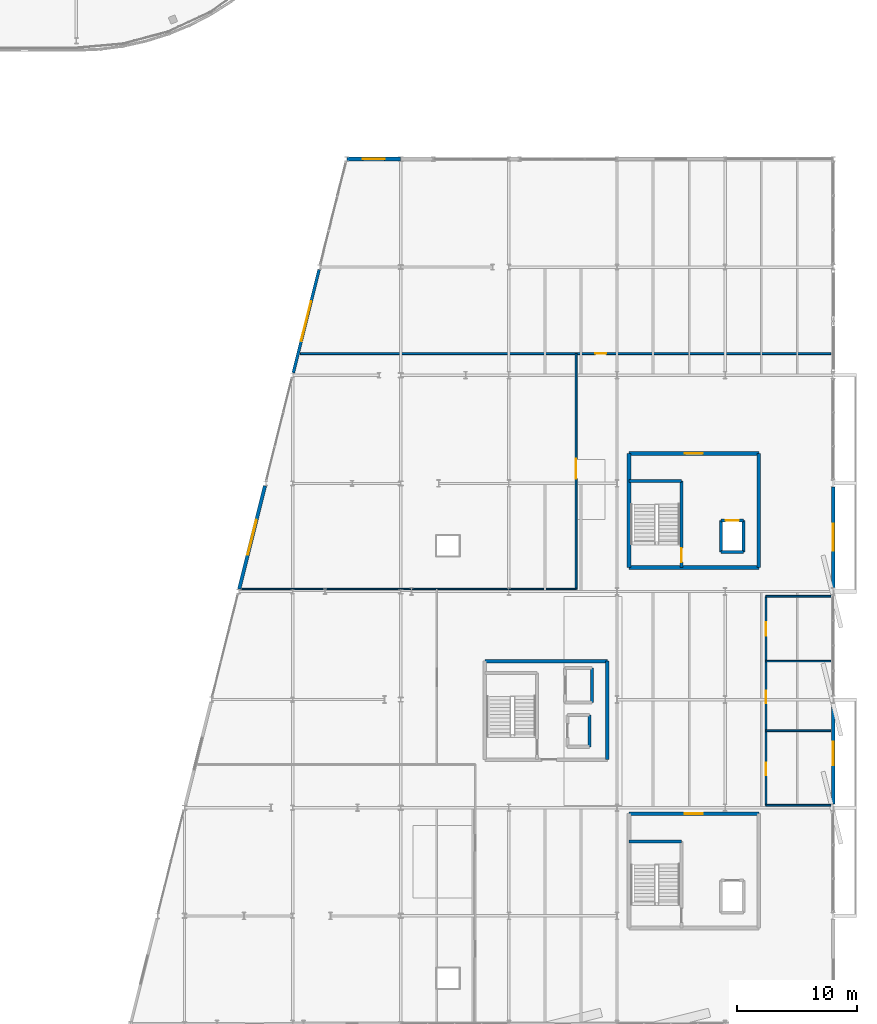
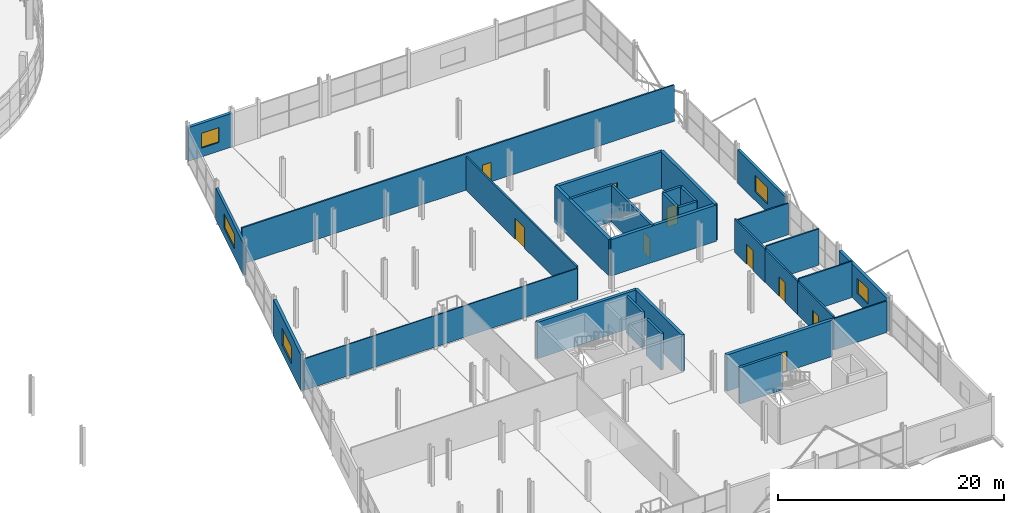
# One storey, part 87 of 103: 31 walls, 9 doors, 5 windows, 14 openings.
"""IFC4 building model written with IfcOpenShell, lengths in metres."""

from ifc_helpers import new_model, si_unit, direction, frame, frame_2d, origin, place, context, subcontext, project, spatial, rectangle, extrude, material, layer, layer_set, type_object, element, fill, save


model = new_model("IFC4")

# Units and contexts
model_context = context("Model", 3, precision=1e-05, world=origin(), true_north=direction((0.0, 1.0)))
body_context = subcontext(model_context, "Body", "Model", "MODEL_VIEW")
ifc_project = project(units=[si_unit("LENGTHUNIT", "METRE"), si_unit("AREAUNIT", "SQUARE_METRE"), si_unit("VOLUMEUNIT", "CUBIC_METRE"), si_unit("PLANEANGLEUNIT", "RADIAN"), si_unit("MASSUNIT", "GRAM", prefix="KILO")], contexts=[model_context])

# Site, building, storey
site_placement = place(None, origin())
site = spatial("IfcSite", under=ifc_project, at=site_placement, CompositionType="ELEMENT")
building_placement = place(site_placement, origin())
building = spatial("IfcBuilding", under=site, at=building_placement, Name="Deido Ridge Mobility Hub", CompositionType="ELEMENT")
storey_placement = place(building_placement, frame((0.0, 0.0, 12.60009765625)))
storey = spatial("IfcBuildingStorey", under=building, at=storey_placement, Name="L03", CompositionType="ELEMENT", Elevation=12.60009765625)

# Wall, opening, window
ifc_material_1 = material(Name="Concrete blockwork masonry", Category="masonry")
ifc_layer_1 = layer(ifc_material_1, 0.2451171875, Name="Concrete blockwork masonry")
ifc_layer_set_1 = layer_set([ifc_layer_1], Name="Concrete blockwork masonry")
wall_type_1 = type_object("IfcWallType", Name="WL-EXT-BLK-245", PredefinedType="STANDARD", material=ifc_layer_set_1)
wall_1_placement = place(storey_placement, frame((135.05126953125, 54.20458984375, 0.0), z_axis=(0.0, 0.0, 1.0), x_axis=(0.242509676291, 0.970148986963, 0.0)))
wall_1 = element("IfcWall", 1, at=wall_1_placement, inside=storey, type_object=wall_type_1, Name="Exterior wall EW4", PredefinedType="STANDARD", context=body_context, shape_type="SweptSolid", body=[
    extrude(rectangle(XDim=8.855224609375, YDim=0.2451171875, at=frame_2d((4.427734375, 0.0))), origin(), (0.0, 0.0, 1.0), 3.449951171875),
])
opening_1_placement = place(wall_1_placement, frame((2.7275390625, 0.0, 0.949951171875)))
opening_1 = element("IfcOpeningElement", 2, at=opening_1_placement, cuts=wall_1, Name="Opening W17", PredefinedType="OPENING", context=body_context, shape_type="SweptSolid", body=[
    extrude(rectangle(XDim=3.39990234375, YDim=1.550048828125, at=frame_2d((1.699951171875, 0.77490234375))), frame((0.0, 0.132568359375, 0.0), z_axis=(0.0, -1.0, 0.0), x_axis=(1.0, 0.0, 0.0)), (0.0, 0.0, 1.0), 0.26513671875),
])
ifc_material_2 = material(Name="Laminated solar-control low-E glass", Category="glass")
window_type_1 = type_object("IfcWindowType", Name="WN-ALU-3400X1550", PartitioningType="DOUBLE_PANEL_VERTICAL", PredefinedType="WINDOW", material=ifc_material_2)
window_1_placement = place(opening_1_placement, origin())
window_1 = element("IfcWindow", 3, at=window_1_placement, inside=storey, type_object=window_type_1, Name="Exterior window W17", OverallHeight=1.550048828125, OverallWidth=3.39990234375, PartitioningType="SINGLE_PANEL", PredefinedType="WINDOW", context=body_context, shape_type="SweptSolid", body=[
    extrude(rectangle(XDim=3.39990234375, YDim=1.550048828125, at=frame_2d((1.699951171875, 0.77490234375))), frame((0.0, 0.030029296875, 0.0), z_axis=(0.0, -1.0, 0.0), x_axis=(1.0, 0.0, 0.0)), (0.0, 0.0, 1.0), 0.06005859375),
])
fill(opening_1, window_1)

ifc_layer_2 = layer(ifc_material_1, 0.264892578125, Name="Concrete blockwork masonry")
ifc_layer_set_2 = layer_set([ifc_layer_2], Name="Concrete blockwork masonry")
wall_type_2 = type_object("IfcWallType", Name="WL-EXT-BLK-265", PredefinedType="STANDARD", material=ifc_layer_set_2)
wall_2_placement = place(storey_placement, frame((180.0, 36.300048828125, 0.0), z_axis=(0.0, 0.0, 1.0), x_axis=(0.0, 1.0, 0.0)))
wall_2 = element("IfcWall", 4, at=wall_2_placement, inside=storey, type_object=wall_type_2, Name="Exterior wall EW3", PredefinedType="STANDARD", context=body_context, shape_type="SweptSolid", body=[
    extrude(rectangle(XDim=8.39990234375, YDim=0.264892578125, at=frame_2d((4.199951171875, 0.0))), origin(), (0.0, 0.0, 1.0), 3.599853515625),
])
opening_2_placement = place(wall_2_placement, frame((3.074951171875, 0.0, 0.949951171875)))
opening_2 = element("IfcOpeningElement", 5, at=opening_2_placement, cuts=wall_2, Name="Opening W10", PredefinedType="OPENING", context=body_context, shape_type="SweptSolid", body=[
    extrude(rectangle(XDim=2.25, YDim=1.75, at=frame_2d((1.125, 0.875))), frame((0.0, 0.142578125, 0.0), z_axis=(0.0, -1.0, 0.0), x_axis=(1.0, 0.0, 0.0)), (0.0, 0.0, 1.0), 0.284912109375),
])
window_type_2 = type_object("IfcWindowType", Name="WN-ALU-2250X1750", PartitioningType="DOUBLE_PANEL_VERTICAL", PredefinedType="WINDOW", material=ifc_material_2)
window_2_placement = place(opening_2_placement, origin())
window_2 = element("IfcWindow", 6, at=window_2_placement, inside=storey, type_object=window_type_2, Name="Exterior window W10", OverallHeight=1.75, OverallWidth=2.25, PartitioningType="SINGLE_PANEL", PredefinedType="WINDOW", context=body_context, shape_type="SweptSolid", body=[
    extrude(rectangle(XDim=2.25, YDim=1.75, at=frame_2d((1.125, 0.875))), frame((0.0, 0.030029296875, 0.0), z_axis=(0.0, -1.0, 0.0), x_axis=(1.0, 0.0, 0.0)), (0.0, 0.0, 1.0), 0.06005859375),
])
fill(opening_2, window_2)

ifc_material_3 = material(Name="Fired clay brick masonry", Category="masonry")
ifc_layer_3 = layer(ifc_material_3, 0.294921875, Name="Fired clay brick masonry")
ifc_layer_set_3 = layer_set([ifc_layer_3], Name="Fired clay brick masonry")
wall_type_3 = type_object("IfcWallType", Name="WL-EXT-BRK-295", PredefinedType="STANDARD", material=ifc_layer_set_3)
wall_3_placement = place(storey_placement, frame((130.55126953125, 36.20458984375, 0.0), z_axis=(0.0, 0.0, 1.0), x_axis=(0.242509676291, 0.970148986963, 0.0)))
wall_3 = element("IfcWall", 7, at=wall_3_placement, inside=storey, type_object=wall_type_3, Name="Exterior wall EW2", PredefinedType="STANDARD", context=body_context, shape_type="SweptSolid", body=[
    extrude(rectangle(XDim=8.855224609375, YDim=0.294921875, at=frame_2d((4.427734375, 0.0))), origin(), (0.0, 0.0, 1.0), 3.9248046875),
])
opening_3_placement = place(wall_3_placement, frame((2.927490234375, 0.0, 0.949951171875)))
opening_3 = element("IfcOpeningElement", 8, at=opening_3_placement, cuts=wall_3, Name="Opening W15", PredefinedType="OPENING", context=body_context, shape_type="SweptSolid", body=[
    extrude(rectangle(XDim=3.0, YDim=1.800048828125, at=frame_2d((1.5, 0.89990234375))), frame((0.0, 0.157470703125, 0.0), z_axis=(0.0, -1.0, 0.0), x_axis=(1.0, 0.0, 0.0)), (0.0, 0.0, 1.0), 0.31494140625),
])
window_type_3 = type_object("IfcWindowType", Name="WN-ALU-3000X1800", PartitioningType="DOUBLE_PANEL_VERTICAL", PredefinedType="WINDOW", material=ifc_material_2)
window_3_placement = place(opening_3_placement, origin())
window_3 = element("IfcWindow", 9, at=window_3_placement, inside=storey, type_object=window_type_3, Name="Exterior window W15", OverallHeight=1.800048828125, OverallWidth=3.0, PartitioningType="SINGLE_PANEL", PredefinedType="WINDOW", context=body_context, shape_type="SweptSolid", body=[
    extrude(rectangle(XDim=3.0, YDim=1.800048828125, at=frame_2d((1.5, 0.89990234375))), frame((0.0, 0.030029296875, 0.0), z_axis=(0.0, -1.0, 0.0), x_axis=(1.0, 0.0, 0.0)), (0.0, 0.0, 1.0), 0.06005859375),
])
fill(opening_3, window_3)

ifc_layer_4 = layer(ifc_material_3, 0.31005859375, Name="Fired clay brick masonry")
ifc_layer_set_4 = layer_set([ifc_layer_4], Name="Fired clay brick masonry")
wall_type_4 = type_object("IfcWallType", Name="WL-EXT-BRK-310", PredefinedType="STANDARD", material=ifc_layer_set_4)
wall_4_placement = place(storey_placement, frame((180.0, 18.300048828125, 0.0), z_axis=(0.0, 0.0, 1.0), x_axis=(0.0, 1.0, 0.0)))
wall_4 = element("IfcWall", 10, at=wall_4_placement, inside=storey, type_object=wall_type_4, Name="Exterior wall EW1", PredefinedType="STANDARD", context=body_context, shape_type="SweptSolid", body=[
    extrude(rectangle(XDim=8.39990234375, YDim=0.31005859375, at=frame_2d((4.199951171875, 0.0))), origin(), (0.0, 0.0, 1.0), 3.599853515625),
])
opening_4_placement = place(wall_4_placement, frame((3.22509765625, 0.0, 0.949951171875)))
opening_4 = element("IfcOpeningElement", 11, at=opening_4_placement, cuts=wall_4, Name="Opening W8", PredefinedType="OPENING", context=body_context, shape_type="SweptSolid", body=[
    extrude(rectangle(XDim=1.949951171875, YDim=1.64990234375, at=frame_2d((0.97509765625, 0.824951171875))), frame((0.0, 0.1650390625, 0.0), z_axis=(0.0, -1.0, 0.0), x_axis=(1.0, 0.0, 0.0)), (0.0, 0.0, 1.0), 0.330078125),
])
window_type_4 = type_object("IfcWindowType", Name="WN-ALU-1950X1650", PartitioningType="DOUBLE_PANEL_VERTICAL", PredefinedType="WINDOW", material=ifc_material_2)
window_4_placement = place(opening_4_placement, origin())
window_4 = element("IfcWindow", 12, at=window_4_placement, inside=storey, type_object=window_type_4, Name="Exterior window W8", OverallHeight=1.64990234375, OverallWidth=1.949951171875, PartitioningType="SINGLE_PANEL", PredefinedType="WINDOW", context=body_context, shape_type="SweptSolid", body=[
    extrude(rectangle(XDim=1.949951171875, YDim=1.64990234375, at=frame_2d((0.97509765625, 0.824951171875))), frame((0.0, 0.030029296875, 0.0), z_axis=(0.0, -1.0, 0.0), x_axis=(1.0, 0.0, 0.0)), (0.0, 0.0, 1.0), 0.06005859375),
])
fill(opening_4, window_4)

wall_5_placement = place(storey_placement, frame((139.506103515625, 72.0, 0.0), z_axis=(0.0, 0.0, 1.0), x_axis=(1.0, 0.0, 0.0)))
wall_5 = element("IfcWall", 13, at=wall_5_placement, inside=storey, type_object=wall_type_4, Name="Exterior wall EW1", PredefinedType="STANDARD", context=body_context, shape_type="SweptSolid", body=[
    extrude(rectangle(XDim=4.485107421875, YDim=0.31005859375, at=frame_2d((2.24267578125, 0.0))), origin(), (0.0, 0.0, 1.0), 3.6298828125),
])
opening_5_placement = place(wall_5_placement, frame((1.342529296875, 0.0, 0.949951171875)))
opening_5 = element("IfcOpeningElement", 14, at=opening_5_placement, cuts=wall_5, Name="Opening W7", PredefinedType="OPENING", context=body_context, shape_type="SweptSolid", body=[
    extrude(rectangle(XDim=1.800048828125, YDim=1.60009765625, at=frame_2d((0.89990234375, 0.800048828125))), frame((0.0, 0.1650390625, 0.0), z_axis=(0.0, -1.0, 0.0), x_axis=(1.0, 0.0, 0.0)), (0.0, 0.0, 1.0), 0.330078125),
])
window_type_5 = type_object("IfcWindowType", Name="WN-ALU-1800X1600", PartitioningType="DOUBLE_PANEL_VERTICAL", PredefinedType="WINDOW", material=ifc_material_2)
window_5_placement = place(opening_5_placement, origin())
window_5 = element("IfcWindow", 15, at=window_5_placement, inside=storey, type_object=window_type_5, Name="Exterior window W7", OverallHeight=1.60009765625, OverallWidth=1.800048828125, PartitioningType="SINGLE_PANEL", PredefinedType="WINDOW", context=body_context, shape_type="SweptSolid", body=[
    extrude(rectangle(XDim=1.800048828125, YDim=1.60009765625, at=frame_2d((0.89990234375, 0.800048828125))), frame((0.0, 0.030029296875, 0.0), z_axis=(0.0, -1.0, 0.0), x_axis=(1.0, 0.0, 0.0)), (0.0, 0.0, 1.0), 0.06005859375),
])
fill(opening_5, window_5)

# Walls
ifc_material_4 = material(Name="Treated tropical hardwood timber D40", Category="wood")
ifc_layer_5 = layer(ifc_material_4, 0.10498046875, Name="Treated tropical hardwood timber D40")
ifc_layer_set_5 = layer_set([ifc_layer_5], Name="Treated tropical hardwood timber D40")
wall_type_5 = type_object("IfcWallType", Name="WL-MOV-ACO-105", PredefinedType="MOVABLE", material=ifc_layer_set_5)
wall_6_placement = place(storey_placement, frame((130.75, 36.199951171875, 0.0), z_axis=(0.0, 0.0, 1.0), x_axis=(1.0, 0.0, 0.0)))
element("IfcWall", 16, at=wall_6_placement, inside=storey, type_object=wall_type_5, Name="V6 central-north cross wall (L03)", PredefinedType="MOVABLE", context=body_context, shape_type="SweptSolid", body=[
    extrude(rectangle(XDim=27.85009765625, YDim=0.10498046875, at=frame_2d((13.925048828125, 0.0))), origin(), (0.0, 0.0, 1.0), 3.39990234375),
])
ifc_layer_6 = layer(ifc_material_1, 0.139892578125, Name="Concrete blockwork masonry")
ifc_layer_set_6 = layer_set([ifc_layer_6], Name="Concrete blockwork masonry")
wall_type_6 = type_object("IfcWallType", Name="WL-PRT-BLK-140", PredefinedType="PARTITIONING", material=ifc_layer_set_6)
wall_7_placement = place(storey_placement, frame((174.39990234375, 18.199951171875, 0.0), z_axis=(0.0, 0.0, 1.0), x_axis=(1.0, 0.0, 0.0)))
element("IfcWall", 17, at=wall_7_placement, inside=storey, type_object=wall_type_6, Name="WC cross wall (L03)", PredefinedType="PARTITIONING", context=body_context, shape_type="SweptSolid", body=[
    extrude(rectangle(XDim=5.400146484375, YDim=0.139892578125, at=frame_2d((2.7001953125, 0.0))), origin(), (0.0, 0.0, 1.0), 3.39990234375),
])
for number, where, z_axis, x_axis, name in (
    (18, (174.39990234375, 24.39990234375, 0.0), (0.0, 0.0, 1.0), (1.0, 0.0, 0.0), "WC cross wall (L03)"),
    (19, (174.39990234375, 30.199951171875, 0.0), (0.0, 0.0, 1.0), (1.0, 0.0, 0.0), "WC cross wall (L03)"),
):
    element("IfcWall", number, at=place(storey_placement, frame(where, z_axis=z_axis, x_axis=x_axis)), inside=storey, type_object=wall_type_6, Name=name, PredefinedType="PARTITIONING", context=body_context, shape_type="SweptSolid", body=[
        extrude(rectangle(XDim=5.400146484375, YDim=0.139892578125, at=frame_2d((2.7001953125, 0.0))), origin(), (0.0, 0.0, 1.0), 3.9248046875),
    ])
wall_8_placement = place(storey_placement, frame((174.39990234375, 35.60009765625, 0.0), z_axis=(0.0, 0.0, 1.0), x_axis=(1.0, 0.0, 0.0)))
element("IfcWall", 20, at=wall_8_placement, inside=storey, type_object=wall_type_6, Name="WC cross wall (L03)", PredefinedType="PARTITIONING", context=body_context, shape_type="SweptSolid", body=[
    extrude(rectangle(XDim=5.400146484375, YDim=0.139892578125, at=frame_2d((2.7001953125, 0.0))), origin(), (0.0, 0.0, 1.0), 3.39990234375),
])

# Wall, opening, door
ifc_layer_7 = layer(ifc_material_1, 0.14990234375, Name="Concrete blockwork masonry")
ifc_layer_set_7 = layer_set([ifc_layer_7], Name="Concrete blockwork masonry")
wall_type_7 = type_object("IfcWallType", Name="WL-PRT-BLK-150", PredefinedType="PARTITIONING", material=ifc_layer_set_7)
wall_9_placement = place(storey_placement, frame((135.64990234375, 55.800048828125, 0.0), z_axis=(0.0, 0.0, 1.0), x_axis=(1.0, 0.0, 0.0)))
wall_9 = element("IfcWall", 21, at=wall_9_placement, inside=storey, type_object=wall_type_7, Name="V6 north hall divider (L03)", PredefinedType="PARTITIONING", context=body_context, shape_type="SweptSolid", body=[
    extrude(rectangle(XDim=44.150146484375, YDim=0.14990234375, at=frame_2d((22.0751953125, 0.0))), origin(), (0.0, 0.0, 1.0), 3.9248046875),
])
opening_6_placement = place(wall_9_placement, frame((24.550048828125, 0.0, 0.0)))
opening_6 = element("IfcOpeningElement", 22, at=opening_6_placement, cuts=wall_9, Name="Opening DR-L03-172", PredefinedType="OPENING", context=body_context, shape_type="SweptSolid", body=[
    extrude(rectangle(XDim=0.89990234375, YDim=2.10009765625, at=frame_2d((0.449951171875, 1.050048828125))), frame((0.0, 0.0849609375, 0.0), z_axis=(0.0, -1.0, 0.0), x_axis=(1.0, 0.0, 0.0)), (0.0, 0.0, 1.0), 0.169921875),
])
door_type_1 = type_object("IfcDoorType", Name="DR-INT-900X2100", OperationType="NOTDEFINED", PredefinedType="DOOR", material=ifc_material_4)
door_1_placement = place(opening_6_placement, origin())
door_1 = element("IfcDoor", 23, at=door_1_placement, inside=storey, type_object=door_type_1, Name="DR-I0172 V6 north hall door (L03)", OperationType="SINGLE_SWING_RIGHT", OverallHeight=2.10009765625, OverallWidth=0.89990234375, PredefinedType="DOOR", context=body_context, shape_type="SweptSolid", body=[
    extrude(rectangle(XDim=0.89990234375, YDim=2.10009765625, at=frame_2d((0.449951171875, 1.050048828125))), frame((0.0, 0.02490234375, 0.0), z_axis=(0.0, -1.0, 0.0), x_axis=(1.0, 0.0, 0.0)), (0.0, 0.0, 1.0), 0.050048828125),
])
fill(opening_6, door_1)

ifc_layer_8 = layer(ifc_material_1, 0.159912109375, Name="Concrete blockwork masonry")
ifc_layer_set_8 = layer_set([ifc_layer_8], Name="Concrete blockwork masonry")
wall_type_8 = type_object("IfcWallType", Name="WL-PRT-BLK-160", PredefinedType="PARTITIONING", material=ifc_layer_set_8)
wall_10_placement = place(storey_placement, frame((158.60009765625, 36.199951171875, 0.0), z_axis=(0.0, 0.0, 1.0), x_axis=(0.0, 1.0, 0.0)))
wall_10 = element("IfcWall", 24, at=wall_10_placement, inside=storey, type_object=wall_type_8, Name="V6 north-west room wall (L03)", PredefinedType="PARTITIONING", context=body_context, shape_type="SweptSolid", body=[
    extrude(rectangle(XDim=19.60009765625, YDim=0.159912109375, at=frame_2d((9.800048828125, 0.0))), origin(), (0.0, 0.0, 1.0), 3.6298828125),
])
opening_7_placement = place(wall_10_placement, frame((9.199951171875, 0.0, 0.0)))
opening_7 = element("IfcOpeningElement", 25, at=opening_7_placement, cuts=wall_10, Name="Opening DR-L03-171", PredefinedType="OPENING", context=body_context, shape_type="SweptSolid", body=[
    extrude(rectangle(XDim=1.64990234375, YDim=2.25, at=frame_2d((0.824951171875, 1.125))), frame((0.0, 0.08984375, 0.0), z_axis=(0.0, -1.0, 0.0), x_axis=(1.0, 0.0, 0.0)), (0.0, 0.0, 1.0), 0.179931640625),
])
door_type_2 = type_object("IfcDoorType", Name="DR-INT-1650X2250", OperationType="DOUBLE_DOOR_SINGLE_SWING", PredefinedType="DOOR", material=ifc_material_4)
door_2_placement = place(opening_7_placement, origin())
door_2 = element("IfcDoor", 26, at=door_2_placement, inside=storey, type_object=door_type_2, Name="DR-I0171 V6 north-west room door (L03)", OperationType="DOUBLE_DOOR_SINGLE_SWING", OverallHeight=2.25, OverallWidth=1.64990234375, PredefinedType="DOOR", context=body_context, shape_type="SweptSolid", body=[
    extrude(rectangle(XDim=1.64990234375, YDim=2.25, at=frame_2d((0.824951171875, 1.125))), frame((0.0, 0.02490234375, 0.0), z_axis=(0.0, -1.0, 0.0), x_axis=(1.0, 0.0, 0.0)), (0.0, 0.0, 1.0), 0.050048828125),
])
fill(opening_7, door_2)

ifc_layer_9 = layer(ifc_material_1, 0.169921875, Name="Concrete blockwork masonry")
ifc_layer_set_9 = layer_set([ifc_layer_9], Name="Concrete blockwork masonry")
wall_type_9 = type_object("IfcWallType", Name="WL-PRT-BLK-170", PredefinedType="PARTITIONING", material=ifc_layer_set_9)
wall_11_placement = place(storey_placement, frame((174.39990234375, 24.39990234375, 0.0), z_axis=(0.0, 0.0, 1.0), x_axis=(0.0, 1.0, 0.0)))
wall_11 = element("IfcWall", 27, at=wall_11_placement, inside=storey, type_object=wall_type_9, Name="Female WC west wall (L03)", PredefinedType="PARTITIONING", context=body_context, shape_type="SweptSolid", body=[
    extrude(rectangle(XDim=5.800048828125, YDim=0.169921875, at=frame_2d((2.89990234375, 0.0))), origin(), (0.0, 0.0, 1.0), 3.599853515625),
])
opening_8_placement = place(wall_11_placement, frame((2.300048828125, 0.0, 0.0)))
opening_8 = element("IfcOpeningElement", 28, at=opening_8_placement, cuts=wall_11, Name="Opening DR-L03-166", PredefinedType="OPENING", context=body_context, shape_type="SweptSolid", body=[
    extrude(rectangle(XDim=1.050048828125, YDim=2.10009765625, at=frame_2d((0.52490234375, 1.050048828125))), frame((0.0, 0.094970703125, 0.0), z_axis=(0.0, -1.0, 0.0), x_axis=(1.0, 0.0, 0.0)), (0.0, 0.0, 1.0), 0.18994140625),
])
ifc_material_5 = material(Name="Galvanised steel work", Category="steel")
door_type_3 = type_object("IfcDoorType", Name="DR-FD60-1050X2100", OperationType="NOTDEFINED", PredefinedType="DOOR", material=ifc_material_5)
door_3_placement = place(opening_8_placement, origin())
door_3 = element("IfcDoor", 29, at=door_3_placement, inside=storey, type_object=door_type_3, Name="DR-I0166 Female WC door (L03)", OperationType="SINGLE_SWING_RIGHT", OverallHeight=2.10009765625, OverallWidth=1.050048828125, PredefinedType="DOOR", context=body_context, shape_type="SweptSolid", body=[
    extrude(rectangle(XDim=1.050048828125, YDim=2.10009765625, at=frame_2d((0.52490234375, 1.050048828125))), frame((0.0, 0.02490234375, 0.0), z_axis=(0.0, -1.0, 0.0), x_axis=(1.0, 0.0, 0.0)), (0.0, 0.0, 1.0), 0.050048828125),
])
fill(opening_8, door_3)

ifc_layer_10 = layer(ifc_material_1, 0.179931640625, Name="Concrete blockwork masonry")
ifc_layer_set_10 = layer_set([ifc_layer_10], Name="Concrete blockwork masonry")
wall_type_10 = type_object("IfcWallType", Name="WL-PRT-BLK-180", PredefinedType="PARTITIONING", material=ifc_layer_set_10)
wall_12_placement = place(storey_placement, frame((174.39990234375, 18.199951171875, 0.0), z_axis=(0.0, 0.0, 1.0), x_axis=(0.0, 1.0, 0.0)))
wall_12 = element("IfcWall", 30, at=wall_12_placement, inside=storey, type_object=wall_type_10, Name="Male WC west wall (L03)", PredefinedType="PARTITIONING", context=body_context, shape_type="SweptSolid", body=[
    extrude(rectangle(XDim=6.199951171875, YDim=0.179931640625, at=frame_2d((3.10009765625, 0.0))), origin(), (0.0, 0.0, 1.0), 3.599853515625),
])
opening_9_placement = place(wall_12_placement, frame((2.5, 0.0, 0.0)))
opening_9 = element("IfcOpeningElement", 31, at=opening_9_placement, cuts=wall_12, Name="Opening DR-L03-165", PredefinedType="OPENING", context=body_context, shape_type="SweptSolid", body=[
    extrude(rectangle(XDim=1.050048828125, YDim=2.10009765625, at=frame_2d((0.52490234375, 1.050048828125))), frame((0.0, 0.10009765625, 0.0), z_axis=(0.0, -1.0, 0.0), x_axis=(1.0, 0.0, 0.0)), (0.0, 0.0, 1.0), 0.199951171875),
])
door_4_placement = place(opening_9_placement, origin())
door_4 = element("IfcDoor", 32, at=door_4_placement, inside=storey, type_object=door_type_3, Name="DR-I0165 Male WC door (L03)", OperationType="SINGLE_SWING_LEFT", OverallHeight=2.10009765625, OverallWidth=1.050048828125, PredefinedType="DOOR", context=body_context, shape_type="SweptSolid", body=[
    extrude(rectangle(XDim=1.050048828125, YDim=2.10009765625, at=frame_2d((0.52490234375, 1.050048828125))), frame((0.0, 0.02490234375, 0.0), z_axis=(0.0, -1.0, 0.0), x_axis=(1.0, 0.0, 0.0)), (0.0, 0.0, 1.0), 0.050048828125),
])
fill(opening_9, door_4)

wall_13_placement = place(storey_placement, frame((174.39990234375, 30.199951171875, 0.0), z_axis=(0.0, 0.0, 1.0), x_axis=(0.0, 1.0, 0.0)))
wall_13 = element("IfcWall", 33, at=wall_13_placement, inside=storey, type_object=wall_type_10, Name="Accessible WC west wall (L03)", PredefinedType="PARTITIONING", context=body_context, shape_type="SweptSolid", body=[
    extrude(rectangle(XDim=5.400146484375, YDim=0.179931640625, at=frame_2d((2.7001953125, 0.0))), origin(), (0.0, 0.0, 1.0), 3.599853515625),
])
opening_10_placement = place(wall_13_placement, frame((2.10009765625, 0.0, 0.0)))
opening_10 = element("IfcOpeningElement", 34, at=opening_10_placement, cuts=wall_13, Name="Opening DR-L03-167", PredefinedType="OPENING", context=body_context, shape_type="SweptSolid", body=[
    extrude(rectangle(XDim=1.14990234375, YDim=2.14990234375, at=frame_2d((0.574951171875, 1.074951171875))), frame((0.0, 0.10009765625, 0.0), z_axis=(0.0, -1.0, 0.0), x_axis=(1.0, 0.0, 0.0)), (0.0, 0.0, 1.0), 0.199951171875),
])
door_type_4 = type_object("IfcDoorType", Name="DR-FD60-1150X2150", OperationType="NOTDEFINED", PredefinedType="DOOR", material=ifc_material_5)
door_5_placement = place(opening_10_placement, origin())
door_5 = element("IfcDoor", 35, at=door_5_placement, inside=storey, type_object=door_type_4, Name="DR-I0167 Accessible WC door (L03)", OperationType="SINGLE_SWING_LEFT", OverallHeight=2.14990234375, OverallWidth=1.14990234375, PredefinedType="DOOR", context=body_context, shape_type="SweptSolid", body=[
    extrude(rectangle(XDim=1.14990234375, YDim=2.14990234375, at=frame_2d((0.574951171875, 1.074951171875))), frame((0.0, 0.02490234375, 0.0), z_axis=(0.0, -1.0, 0.0), x_axis=(1.0, 0.0, 0.0)), (0.0, 0.0, 1.0), 0.050048828125),
])
fill(opening_10, door_5)

# Wall
ifc_material_6 = material(Name="Concrete C40/50", Category="concrete")
ifc_layer_11 = layer(ifc_material_6, 0.25, Name="Concrete C40/50")
ifc_layer_set_11 = layer_set([ifc_layer_11], Name="Concrete C40/50")
wall_type_11 = type_object("IfcWallType", Name="WL-SHR-RC-250", PredefinedType="SHEAR", material=ifc_layer_set_11)
wall_14_placement = place(storey_placement, frame((163.0, 15.199951171875, 0.0), z_axis=(0.0, 0.0, 1.0), x_axis=(1.0, 0.0, 0.0)))
element("IfcWall", 36, at=wall_14_placement, inside=storey, type_object=wall_type_11, Name="C1 stair shaft north wall", PredefinedType="SHEAR", context=body_context, shape_type="SweptSolid", body=[
    extrude(rectangle(XDim=4.360107421875, YDim=0.25, at=frame_2d((2.18017578125, 0.0))), origin(), (0.0, 0.0, 1.0), 3.9248046875),
])

# Wall, opening, door
wall_15_placement = place(storey_placement, frame((167.360107421875, 38.0, 0.0), z_axis=(0.0, 0.0, 1.0), x_axis=(0.0, 1.0, 0.0)))
wall_15 = element("IfcWall", 37, at=wall_15_placement, inside=storey, type_object=wall_type_11, Name="C2 stair shaft east wall", PredefinedType="SHEAR", context=body_context, shape_type="SweptSolid", body=[
    extrude(rectangle(XDim=7.199951171875, YDim=0.25, at=frame_2d((3.60009765625, 0.0))), origin(), (0.0, 0.0, 1.0), 3.9248046875),
])
opening_11_placement = place(wall_15_placement, frame((0.449951171875, 0.0, 0.0)))
opening_11 = element("IfcOpeningElement", 38, at=opening_11_placement, cuts=wall_15, Name="Opening FD-C2-L03", PredefinedType="OPENING", context=body_context, shape_type="SweptSolid", body=[
    extrude(rectangle(XDim=1.14990234375, YDim=2.14990234375, at=frame_2d((0.574951171875, 1.074951171875))), frame((0.0, 0.135009765625, 0.0), z_axis=(0.0, -1.0, 0.0), x_axis=(1.0, 0.0, 0.0)), (0.0, 0.0, 1.0), 0.27001953125),
])
door_6_placement = place(opening_11_placement, origin())
door_6 = element("IfcDoor", 39, at=door_6_placement, inside=storey, type_object=door_type_4, Name="DR-I0037 C2 protected stair door (L03)", OperationType="SINGLE_SWING_LEFT", OverallHeight=2.14990234375, OverallWidth=1.14990234375, PredefinedType="DOOR", context=body_context, shape_type="SweptSolid", body=[
    extrude(rectangle(XDim=1.14990234375, YDim=2.14990234375, at=frame_2d((0.574951171875, 1.074951171875))), frame((0.0, 0.02490234375, 0.0), z_axis=(0.0, -1.0, 0.0), x_axis=(1.0, 0.0, 0.0)), (0.0, 0.0, 1.0), 0.050048828125),
])
fill(opening_11, door_6)

# Walls
wall_16_placement = place(storey_placement, frame((163.0, 45.199951171875, 0.0), z_axis=(0.0, 0.0, 1.0), x_axis=(1.0, 0.0, 0.0)))
element("IfcWall", 40, at=wall_16_placement, inside=storey, type_object=wall_type_11, Name="C2 stair shaft north wall", PredefinedType="SHEAR", context=body_context, shape_type="SweptSolid", body=[
    extrude(rectangle(XDim=4.360107421875, YDim=0.25, at=frame_2d((2.18017578125, 0.0))), origin(), (0.0, 0.0, 1.0), 3.9248046875),
])
wall_17_placement = place(storey_placement, frame((170.675048828125, 39.27490234375, 0.0), z_axis=(0.0, 0.0, 1.0), x_axis=(1.0, 0.0, 0.0)))
element("IfcWall", 41, at=wall_17_placement, inside=storey, type_object=wall_type_11, Name="Lift FL2 rear shaft wall", PredefinedType="SHEAR", context=body_context, shape_type="SweptSolid", body=[
    extrude(rectangle(XDim=1.849853515625, YDim=0.25, at=frame_2d((0.9248046875, 0.0))), origin(), (0.0, 0.0, 1.0), 3.9248046875),
])
for number, where, z_axis, x_axis, name in (
    (42, (170.675048828125, 39.27490234375, 0.0), (0.0, 0.0, 1.0), (0.0, 1.0, 0.0), "Lift FL2 west shaft wall"),
    (43, (172.52490234375, 39.27490234375, 0.0), (0.0, 0.0, 1.0), (0.0, 1.0, 0.0), "Lift FL2 east shaft wall"),
):
    element("IfcWall", number, at=place(storey_placement, frame(where, z_axis=z_axis, x_axis=x_axis)), inside=storey, type_object=wall_type_11, Name=name, PredefinedType="SHEAR", context=body_context, shape_type="SweptSolid", body=[
        extrude(rectangle(XDim=2.650146484375, YDim=0.25, at=frame_2d((1.3251953125, 0.0))), origin(), (0.0, 0.0, 1.0), 3.9248046875),
    ])

# Wall, opening, door
wall_18_placement = place(storey_placement, frame((170.675048828125, 41.925048828125, 0.0), z_axis=(0.0, 0.0, 1.0), x_axis=(1.0, 0.0, 0.0)))
wall_18 = element("IfcWall", 44, at=wall_18_placement, inside=storey, type_object=wall_type_11, Name="Lift FL2 landing wall", PredefinedType="SHEAR", context=body_context, shape_type="SweptSolid", body=[
    extrude(rectangle(XDim=1.849853515625, YDim=0.25, at=frame_2d((0.9248046875, 0.0))), origin(), (0.0, 0.0, 1.0), 3.9248046875),
])
opening_12_placement = place(wall_18_placement, frame((0.375, 0.0, 0.0)))
opening_12 = element("IfcOpeningElement", 45, at=opening_12_placement, cuts=wall_18, Name="Opening LD-FL2", PredefinedType="OPENING", context=body_context, shape_type="SweptSolid", body=[
    extrude(rectangle(XDim=1.10009765625, YDim=2.14990234375, at=frame_2d((0.550048828125, 1.074951171875))), frame((0.0, 0.135009765625, 0.0), z_axis=(0.0, -1.0, 0.0), x_axis=(1.0, 0.0, 0.0)), (0.0, 0.0, 1.0), 0.27001953125),
])
ifc_material_7 = material(Name="Stainless steel 316", Category="steel")
door_type_5 = type_object("IfcDoorType", Name="DR-LND-PAS-1100X2150", OperationType="DOUBLE_DOOR_SLIDING", PredefinedType="USERDEFINED", material=ifc_material_7)
door_7_placement = place(opening_12_placement, origin())
door_7 = element("IfcDoor", 46, at=door_7_placement, inside=storey, type_object=door_type_5, Name="DR-I0039 Lift FL2 sliding landing door (L03)", ObjectType="LANDING DOOR", OperationType="DOUBLE_DOOR_SLIDING", OverallHeight=2.14990234375, OverallWidth=1.10009765625, PredefinedType="USERDEFINED", context=body_context, shape_type="SweptSolid", body=[
    extrude(rectangle(XDim=1.10009765625, YDim=2.14990234375, at=frame_2d((0.550048828125, 1.074951171875))), frame((0.0, 0.02490234375, 0.0), z_axis=(0.0, -1.0, 0.0), x_axis=(1.0, 0.0, 0.0)), (0.0, 0.0, 1.0), 0.050048828125),
])
fill(opening_12, door_7)

# Walls
wall_19_placement = place(storey_placement, frame((159.72509765625, 23.074951171875, 0.0), z_axis=(0.0, 0.0, 1.0), x_axis=(0.0, 1.0, 0.0)))
element("IfcWall", 47, at=wall_19_placement, inside=storey, type_object=wall_type_11, Name="Lift PL1 rear shaft wall", PredefinedType="SHEAR", context=body_context, shape_type="SweptSolid", body=[
    extrude(rectangle(XDim=2.650146484375, YDim=0.25, at=frame_2d((1.3251953125, 0.0))), origin(), (0.0, 0.0, 1.0), 3.9248046875),
])
wall_20_placement = place(storey_placement, frame((159.925048828125, 26.77490234375, 0.0), z_axis=(0.0, 0.0, 1.0), x_axis=(0.0, 1.0, 0.0)))
element("IfcWall", 48, at=wall_20_placement, inside=storey, type_object=wall_type_11, Name="Lift GL1 rear shaft wall", PredefinedType="SHEAR", context=body_context, shape_type="SweptSolid", body=[
    extrude(rectangle(XDim=2.85009765625, YDim=0.25, at=frame_2d((1.425048828125, 0.0))), origin(), (0.0, 0.0, 1.0), 3.9248046875),
])
ifc_layer_12 = layer(ifc_material_6, 0.300048828125, Name="Concrete C40/50")
ifc_layer_set_12 = layer_set([ifc_layer_12], Name="Concrete C40/50")
wall_type_12 = type_object("IfcWallType", Name="WL-SHR-RC-300", PredefinedType="SHEAR", material=ifc_layer_set_12)
wall_21_placement = place(storey_placement, frame((161.199951171875, 22.0, 0.0), z_axis=(0.0, 0.0, 1.0), x_axis=(0.0, 1.0, 0.0)))
element("IfcWall", 49, at=wall_21_placement, inside=storey, type_object=wall_type_12, Name="C3 east shear wall", PredefinedType="SHEAR", context=body_context, shape_type="SweptSolid", body=[
    extrude(rectangle(XDim=8.199951171875, YDim=0.300048828125, at=frame_2d((4.10009765625, 0.0))), origin(), (0.0, 0.0, 1.0), 3.9248046875),
])
wall_22_placement = place(storey_placement, frame((161.199951171875, 30.199951171875, 0.0), z_axis=(0.0, 0.0, 1.0), x_axis=(-1.0, 0.0, 0.0)))
element("IfcWall", 50, at=wall_22_placement, inside=storey, type_object=wall_type_12, Name="C3 north shear wall", PredefinedType="SHEAR", context=body_context, shape_type="SweptSolid", body=[
    extrude(rectangle(XDim=10.199951171875, YDim=0.300048828125, at=frame_2d((5.10009765625, 0.0))), origin(), (0.0, 0.0, 1.0), 3.9248046875),
])

# Wall, opening, door
ifc_layer_13 = layer(ifc_material_6, 0.324951171875, Name="Concrete C40/50")
ifc_layer_set_13 = layer_set([ifc_layer_13], Name="Concrete C40/50")
wall_type_13 = type_object("IfcWallType", Name="WL-SHR-RC-325", PredefinedType="SHEAR", material=ifc_layer_set_13)
wall_23_placement = place(storey_placement, frame((173.800048828125, 17.5, 0.0), z_axis=(0.0, 0.0, 1.0), x_axis=(-1.0, 0.0, 0.0)))
wall_23 = element("IfcWall", 51, at=wall_23_placement, inside=storey, type_object=wall_type_13, Name="C1 north shear wall", PredefinedType="SHEAR", context=body_context, shape_type="SweptSolid", body=[
    extrude(rectangle(XDim=10.800048828125, YDim=0.324951171875, at=frame_2d((5.39990234375, 0.0))), origin(), (0.0, 0.0, 1.0), 3.9248046875),
])
opening_13_placement = place(wall_23_placement, frame((4.64990234375, 0.0, 0.0)))
opening_13 = element("IfcOpeningElement", 52, at=opening_13_placement, cuts=wall_23, Name="Opening LD-C1-014", PredefinedType="OPENING", context=body_context, shape_type="SweptSolid", body=[
    extrude(rectangle(XDim=1.5, YDim=2.199951171875, at=frame_2d((0.75, 1.10009765625))), frame((0.0, 0.17236328125, 0.0), z_axis=(0.0, -1.0, 0.0), x_axis=(1.0, 0.0, 0.0)), (0.0, 0.0, 1.0), 0.344970703125),
])
door_type_6 = type_object("IfcDoorType", Name="DR-FD60-1500X2200", OperationType="DOUBLE_DOOR_SINGLE_SWING", PredefinedType="DOOR", material=ifc_material_5)
door_8_placement = place(opening_13_placement, origin())
door_8 = element("IfcDoor", 53, at=door_8_placement, inside=storey, type_object=door_type_6, Name="DR-I0014 C1 firefighting lobby door (L03)", OperationType="DOUBLE_DOOR_SINGLE_SWING", OverallHeight=2.199951171875, OverallWidth=1.5, PredefinedType="DOOR", context=body_context, shape_type="SweptSolid", body=[
    extrude(rectangle(XDim=1.5, YDim=2.199951171875, at=frame_2d((0.75, 1.10009765625))), frame((0.0, 0.02490234375, 0.0), z_axis=(0.0, -1.0, 0.0), x_axis=(1.0, 0.0, 0.0)), (0.0, 0.0, 1.0), 0.050048828125),
])
fill(opening_13, door_8)

# Walls
wall_24_placement = place(storey_placement, frame((163.0, 38.0, 0.0), z_axis=(0.0, 0.0, 1.0), x_axis=(1.0, 0.0, 0.0)))
element("IfcWall", 54, at=wall_24_placement, inside=storey, type_object=wall_type_13, Name="C2 south shear wall", PredefinedType="SHEAR", context=body_context, shape_type="SweptSolid", body=[
    extrude(rectangle(XDim=10.800048828125, YDim=0.324951171875, at=frame_2d((5.39990234375, 0.0))), origin(), (0.0, 0.0, 1.0), 3.9248046875),
])
wall_25_placement = place(storey_placement, frame((173.800048828125, 38.0, 0.0), z_axis=(0.0, 0.0, 1.0), x_axis=(0.0, 1.0, 0.0)))
element("IfcWall", 55, at=wall_25_placement, inside=storey, type_object=wall_type_13, Name="C2 east shear wall", PredefinedType="SHEAR", context=body_context, shape_type="SweptSolid", body=[
    extrude(rectangle(XDim=9.5, YDim=0.324951171875, at=frame_2d((4.75, 0.0))), origin(), (0.0, 0.0, 1.0), 3.9248046875),
])

# Wall, opening, door
wall_26_placement = place(storey_placement, frame((173.800048828125, 47.5, 0.0), z_axis=(0.0, 0.0, 1.0), x_axis=(-1.0, 0.0, 0.0)))
wall_26 = element("IfcWall", 56, at=wall_26_placement, inside=storey, type_object=wall_type_13, Name="C2 north shear wall", PredefinedType="SHEAR", context=body_context, shape_type="SweptSolid", body=[
    extrude(rectangle(XDim=10.800048828125, YDim=0.324951171875, at=frame_2d((5.39990234375, 0.0))), origin(), (0.0, 0.0, 1.0), 3.9248046875),
])
opening_14_placement = place(wall_26_placement, frame((4.64990234375, 0.0, 0.0)))
opening_14 = element("IfcOpeningElement", 57, at=opening_14_placement, cuts=wall_26, Name="Opening LD-C2-038", PredefinedType="OPENING", context=body_context, shape_type="SweptSolid", body=[
    extrude(rectangle(XDim=1.5, YDim=2.199951171875, at=frame_2d((0.75, 1.10009765625))), frame((0.0, 0.17236328125, 0.0), z_axis=(0.0, -1.0, 0.0), x_axis=(1.0, 0.0, 0.0)), (0.0, 0.0, 1.0), 0.344970703125),
])
door_9_placement = place(opening_14_placement, origin())
door_9 = element("IfcDoor", 58, at=door_9_placement, inside=storey, type_object=door_type_6, Name="DR-I0038 C2 firefighting lobby door (L03)", OperationType="DOUBLE_DOOR_SINGLE_SWING", OverallHeight=2.199951171875, OverallWidth=1.5, PredefinedType="DOOR", context=body_context, shape_type="SweptSolid", body=[
    extrude(rectangle(XDim=1.5, YDim=2.199951171875, at=frame_2d((0.75, 1.10009765625))), frame((0.0, 0.02490234375, 0.0), z_axis=(0.0, -1.0, 0.0), x_axis=(1.0, 0.0, 0.0)), (0.0, 0.0, 1.0), 0.050048828125),
])
fill(opening_14, door_9)

# Wall
wall_27_placement = place(storey_placement, frame((163.0, 47.5, 0.0), z_axis=(0.0, 0.0, 1.0), x_axis=(0.0, -1.0, 0.0)))
element("IfcWall", 59, at=wall_27_placement, inside=storey, type_object=wall_type_13, Name="C2 west shear wall", PredefinedType="SHEAR", context=body_context, shape_type="SweptSolid", body=[
    extrude(rectangle(XDim=9.5, YDim=0.324951171875, at=frame_2d((4.75, 0.0))), origin(), (0.0, 0.0, 1.0), 3.9248046875),
])

save(model, "model.ifc")
